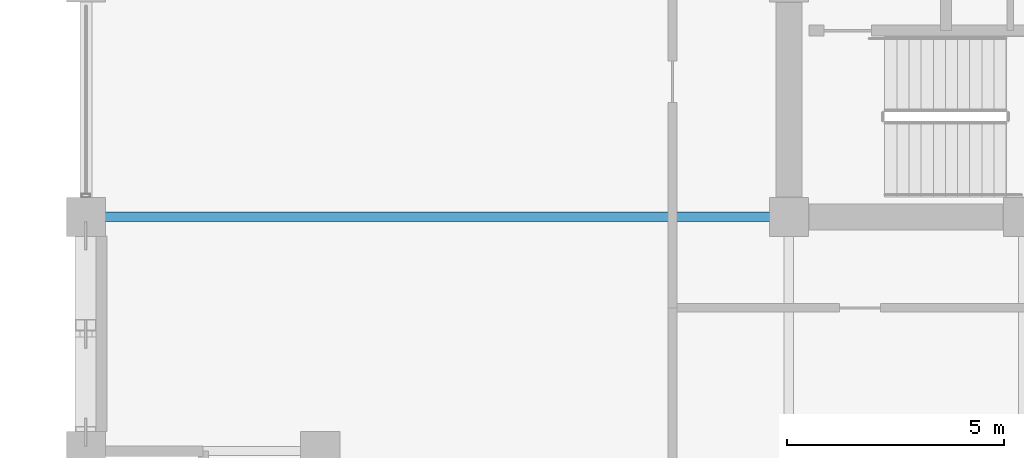
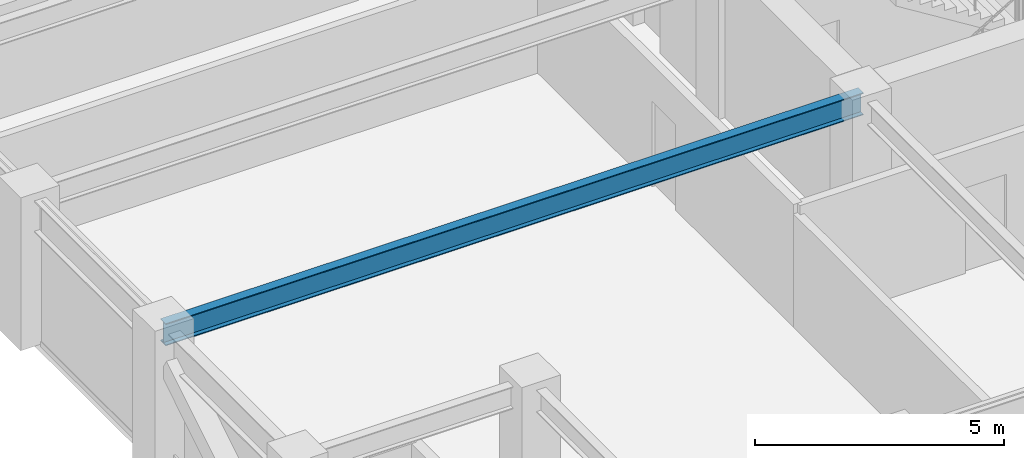
# One storey, part 5 of 32: 1 beam.
"""IFC4 building model written with IfcOpenShell, lengths in metres."""

from ifc_helpers import new_model, si_unit, direction, frame, origin, origin_2d, place, context, subcontext, project, spatial, i_section, extrude, material, material_profile, profile_set, type_object, element, save


model = new_model("IFC4")

# Units and contexts
model_context = context("Model", 3, precision=1e-05, world=origin(), true_north=direction((0.0, 1.0)))
body_context = subcontext(model_context, "Body", "Model", "MODEL_VIEW")
ifc_project = project(units=[si_unit("LENGTHUNIT", "METRE"), si_unit("AREAUNIT", "SQUARE_METRE"), si_unit("VOLUMEUNIT", "CUBIC_METRE"), si_unit("PLANEANGLEUNIT", "RADIAN"), si_unit("MASSUNIT", "GRAM", prefix="KILO")], contexts=[model_context])

# Site, building, storey
site_placement = place(None, origin())
site = spatial("IfcSite", under=ifc_project, at=site_placement, CompositionType="ELEMENT")
building_placement = place(site_placement, origin())
building = spatial("IfcBuilding", under=site, at=building_placement, Name="Surkhivell Harbour Commons", CompositionType="ELEMENT")
storey_placement = place(building_placement, frame((0.0, 0.0, 186.0)))
storey = spatial("IfcBuildingStorey", under=building, at=storey_placement, Name="L48", CompositionType="ELEMENT", Elevation=186.0)

# Beam
ifc_material = material(Name="Steel S355", Category="steel")
ifc_material_profile = material_profile(ifc_material, i_section(OverallWidth=0.2119140625, OverallDepth=0.5439453125, WebThickness=0.0126953125, FlangeThickness=0.021240234375, at=origin_2d()), Name="UB533x210x122")
ifc_profile_set = profile_set([ifc_material_profile], Name="Steel S355")
beam_type = type_object("IfcBeamType", Name="BM-GRD-533A", PredefinedType="BEAM", material=ifc_profile_set)
beam_placement = place(storey_placement, frame((-27.0, -10.800048828125, 3.298095703125), z_axis=(1.0, 0.0, 0.0), x_axis=(0.0, 1.0, 0.0)))
element("IfcBeam", 1, at=beam_placement, inside=storey, type_object=beam_type, Name="L48 Floor Girder (-27.0,-10.8)", PredefinedType="BEAM", context=body_context, shape_type="SweptSolid", body=[
    extrude(i_section(OverallWidth=0.2119140625, OverallDepth=0.5439453125, WebThickness=0.0126953125, FlangeThickness=0.021240234375, at=origin_2d()), origin(), (0.0, 0.0, 1.0), 16.199951171875),
])

save(model, "model.ifc")
